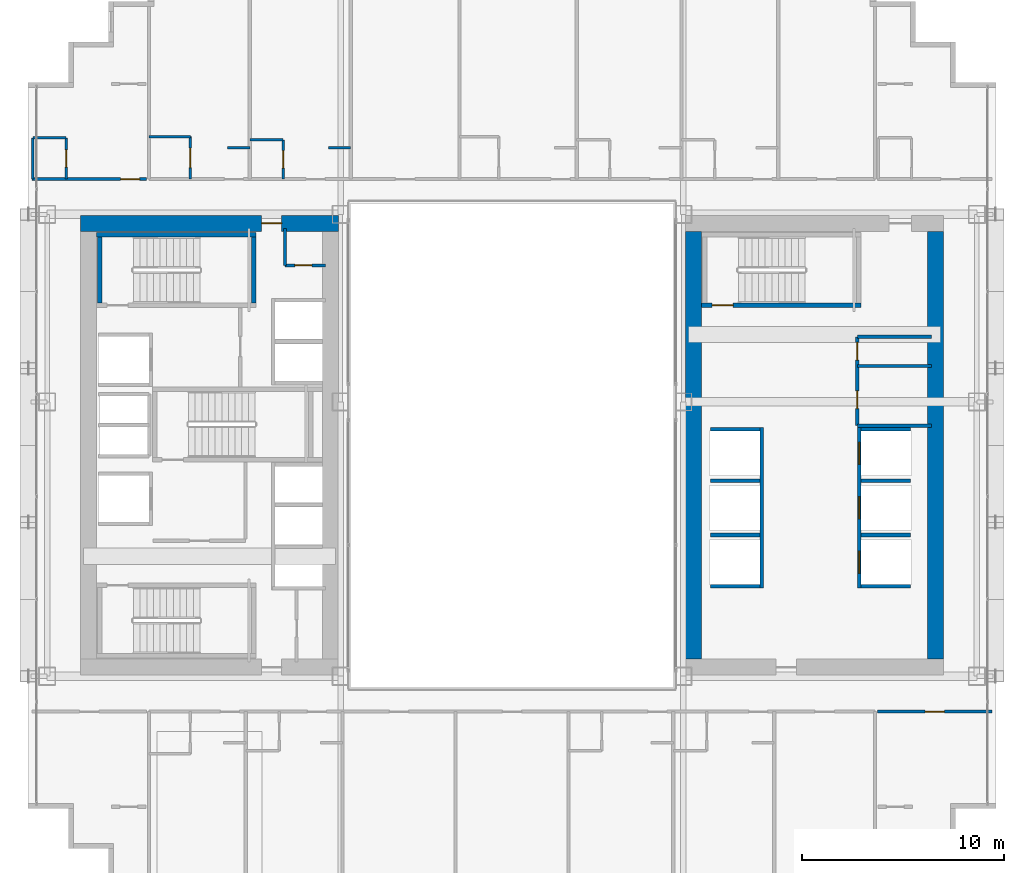
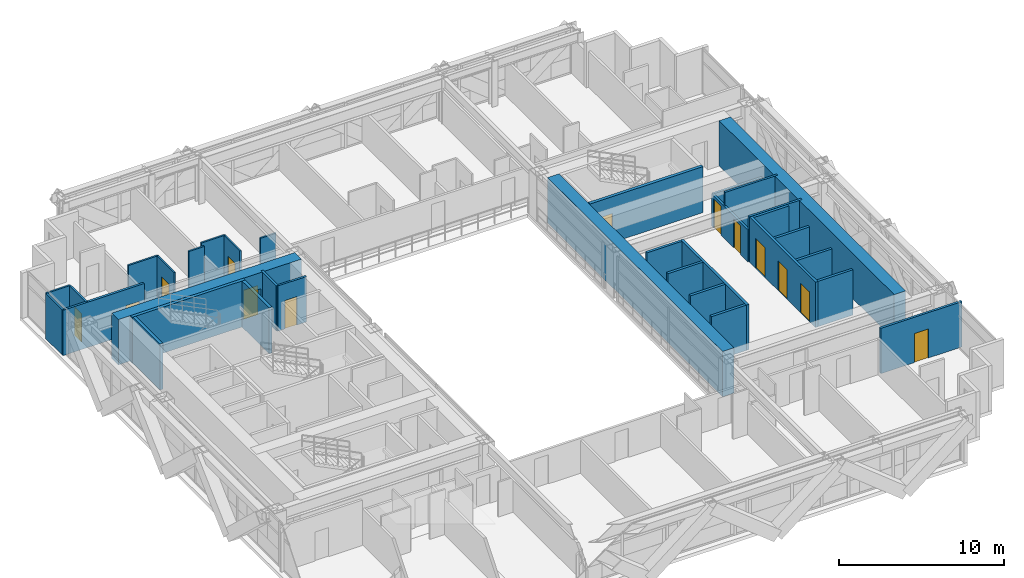
# One storey, part 35 of 41: 34 walls, 13 doors, 13 openings.
"""IFC4 building model written with IfcOpenShell, lengths in metres."""

from ifc_helpers import new_model, si_unit, direction, frame, frame_2d, origin, place, context, subcontext, project, spatial, rectangle, extrude, source, transform, mapped, material, layer, layer_set, type_object, element, fill, save


model = new_model("IFC4")

# Units and contexts
model_context = context("Model", 3, precision=1e-05, world=origin(), true_north=direction((0.0, 1.0)))
body_context = subcontext(model_context, "Body", "Model", "MODEL_VIEW")
ifc_project = project(units=[si_unit("LENGTHUNIT", "METRE"), si_unit("AREAUNIT", "SQUARE_METRE"), si_unit("VOLUMEUNIT", "CUBIC_METRE"), si_unit("PLANEANGLEUNIT", "RADIAN"), si_unit("MASSUNIT", "GRAM", prefix="KILO")], contexts=[model_context])

# Site, building, storey
site_placement = place(None, origin())
site = spatial("IfcSite", under=ifc_project, at=site_placement, CompositionType="ELEMENT")
building_placement = place(site_placement, origin())
building = spatial("IfcBuilding", under=site, at=building_placement, Name="Ocotamira Hotel", CompositionType="ELEMENT")
storey_placement = place(building_placement, frame((0.0, 0.0, 67.199951171875)))
storey = spatial("IfcBuildingStorey", under=building, at=storey_placement, Name="L16", CompositionType="ELEMENT", Elevation=67.199951171875)

# Wall, opening, door
ifc_material_1 = material(Name="Concrete C60/75", Category="concrete")
ifc_layer_1 = layer(ifc_material_1, 0.800048828125)
ifc_layer_set_1 = layer_set([ifc_layer_1], Name="Concrete C60/75")
wall_type_1 = type_object("IfcWallType", Name="WL-CORE-800", PredefinedType="SHEAR", material=ifc_layer_set_1)
wall_1_placement = place(storey_placement, frame((10.60009765625, 37.0, 0.0), z_axis=(0.0, 0.0, 1.0), x_axis=(1.0, 0.0, 0.0)))
wall_1 = element("IfcWall", 1, at=wall_1_placement, inside=storey, type_object=wall_type_1, Name="L16 Shear Core Wall WCORE-N", PredefinedType="SHEAR", context=body_context, shape_type="SweptSolid", body=[
    extrude(rectangle(XDim=12.7998046875, YDim=0.800048828125, at=frame_2d((6.39990234375, 0.0))), origin(), (0.0, 0.0, 1.0), 3.35009765625),
])
opening_1_placement = place(wall_1_placement, frame((8.97998046875, 0.0, 0.0)))
opening_1 = element("IfcOpeningElement", 2, at=opening_1_placement, cuts=wall_1, Name="Opening D-FR2", PredefinedType="OPENING", context=body_context, shape_type="SweptSolid", body=[
    extrude(rectangle(XDim=1.0, YDim=2.14990234375, at=frame_2d((0.5, 1.074951171875))), frame((0.0, 0.41015625, 0.0), z_axis=(0.0, -1.0, 0.0), x_axis=(1.0, 0.0, 0.0)), (0.0, 0.0, 1.0), 0.820068359375),
])
ifc_material_2 = material(Name="Fire-rated acoustic timber-veneer door", Category="wood")
door_type_1 = type_object("IfcDoorType", Name="DR-FIRE-1000", OperationType="NOTDEFINED", PredefinedType="DOOR", material=ifc_material_2)
shared_shape_1 = source(origin(), body_context, "Body", "SweptSolid", [
    extrude(rectangle(XDim=1.0, YDim=2.14990234375, at=frame_2d((0.5, 1.074951171875))), frame((0.0, 0.02490234375, 0.0), z_axis=(0.0, -1.0, 0.0), x_axis=(1.0, 0.0, 0.0)), (0.0, 0.0, 1.0), 0.050048828125),
])
door_1_placement = place(opening_1_placement, origin())
door_1 = element("IfcDoor", 3, at=door_1_placement, inside=storey, type_object=door_type_1, Name="L16 Door ID-L16-WLOB-N-D [ID-L16-WLOB-N-D]", OperationType="SINGLE_SWING_RIGHT", OverallHeight=2.14990234375, OverallWidth=1.0, PredefinedType="DOOR", context=body_context, shape_type="MappedRepresentation", body=[
    mapped(shared_shape_1, transform((0.0, 0.0, 0.0), scale=1.0)),
])
fill(opening_1, door_1)

# Walls
for number, where, z_axis, x_axis, name in (
    (4, (41.0, 15.39990234375, 0.0), (0.0, 0.0, 1.0), (0.0, 1.0, 0.0), "L16 Shear Core Wall ECORE-W"),
    (5, (53.0, 15.39990234375, 0.0), (0.0, 0.0, 1.0), (0.0, 1.0, 0.0), "L16 Shear Core Wall ECORE-E"),
):
    element("IfcWall", number, at=place(storey_placement, frame(where, z_axis=z_axis, x_axis=x_axis)), inside=storey, type_object=wall_type_1, Name=name, PredefinedType="SHEAR", context=body_context, shape_type="SweptSolid", body=[
        extrude(rectangle(XDim=21.2001953125, YDim=0.800048828125, at=frame_2d((10.60009765625, 0.0))), origin(), (0.0, 0.0, 1.0), 3.35009765625),
    ])
ifc_material_3 = material(Name="Acoustic double-layer fire gypsum board partition", Category="gypsum")
ifc_layer_2 = layer(ifc_material_3, 0.159912109375)
ifc_layer_set_2 = layer_set([ifc_layer_2], Name="Acoustic double-layer fire gypsum board partition")
wall_type_2 = type_object("IfcWallType", Name="WL-FIRE-160", PredefinedType="PARTITIONING", material=ifc_layer_set_2)
wall_2_placement = place(storey_placement, frame((49.1201171875, 26.969970703125, 0.0), z_axis=(0.0, 0.0, 1.0), x_axis=(1.0, 0.0, 0.0)))
element("IfcWall", 6, at=wall_2_placement, inside=storey, type_object=wall_type_2, Name="L16 Interior Wall PW-L16-EC-NE-S", PredefinedType="PARTITIONING", context=body_context, shape_type="SweptSolid", body=[
    extrude(rectangle(XDim=3.679931640625, YDim=0.159912109375, at=frame_2d((1.83984375, 0.0))), origin(), (0.0, 0.0, 1.0), 3.35009765625),
])
wall_3_placement = place(storey_placement, frame((49.1201171875, 31.3798828125, 0.0), z_axis=(0.0, 0.0, 1.0), x_axis=(1.0, 0.0, 0.0)))
element("IfcWall", 7, at=wall_3_placement, inside=storey, type_object=wall_type_2, Name="L16 Interior Wall PW-L16-EC-NE-N", PredefinedType="PARTITIONING", context=body_context, shape_type="SweptSolid", body=[
    extrude(rectangle(XDim=3.679931640625, YDim=0.159912109375, at=frame_2d((1.83984375, 0.0))), origin(), (0.0, 0.0, 1.0), 2.360107421875),
])

# Wall, openings, doors
wall_4_placement = place(storey_placement, frame((49.1201171875, 26.969970703125, 0.0), z_axis=(0.0, 0.0, 1.0), x_axis=(0.0, 1.0, 0.0)))
wall_4 = element("IfcWall", 8, at=wall_4_placement, inside=storey, type_object=wall_type_2, Name="L16 Interior Wall PW-L16-EC-NE-W", PredefinedType="PARTITIONING", context=body_context, shape_type="SweptSolid", body=[
    extrude(rectangle(XDim=4.409912109375, YDim=0.159912109375, at=frame_2d((2.205078125, 0.0))), origin(), (0.0, 0.0, 1.0), 2.360107421875),
])
opening_2_placement = place(wall_4_placement, frame((0.85009765625, 0.0, 0.0)))
opening_2 = element("IfcOpeningElement", 9, at=opening_2_placement, cuts=wall_4, Name="Opening D-SV2", PredefinedType="OPENING", context=body_context, shape_type="SweptSolid", body=[
    extrude(rectangle(XDim=0.8798828125, YDim=2.14990234375, at=frame_2d((0.43994140625, 1.074951171875))), frame((0.0, 0.08984375, 0.0), z_axis=(0.0, -1.0, 0.0), x_axis=(1.0, 0.0, 0.0)), (0.0, 0.0, 1.0), 0.179931640625),
])
opening_3_placement = place(wall_4_placement, frame((3.25, 0.0, 0.0)))
opening_3 = element("IfcOpeningElement", 10, at=opening_3_placement, cuts=wall_4, Name="Opening D-SV2", PredefinedType="OPENING", context=body_context, shape_type="SweptSolid", body=[
    extrude(rectangle(XDim=0.8798828125, YDim=2.14990234375, at=frame_2d((0.43994140625, 1.074951171875))), frame((0.0, 0.08984375, 0.0), z_axis=(0.0, -1.0, 0.0), x_axis=(1.0, 0.0, 0.0)), (0.0, 0.0, 1.0), 0.179931640625),
])
ifc_material_4 = material(Name="Fire-rated painted steel service door", Category="steel")
door_type_2 = type_object("IfcDoorType", Name="DR-SERV-880", OperationType="NOTDEFINED", PredefinedType="DOOR", material=ifc_material_4)
shared_shape_2 = source(origin(), body_context, "Body", "SweptSolid", [
    extrude(rectangle(XDim=0.8798828125, YDim=2.14990234375, at=frame_2d((0.43994140625, 1.074951171875))), frame((0.0, 0.02490234375, 0.0), z_axis=(0.0, -1.0, 0.0), x_axis=(1.0, 0.0, 0.0)), (0.0, 0.0, 1.0), 0.050048828125),
])
door_2_placement = place(opening_2_placement, origin())
door_2 = element("IfcDoor", 11, at=door_2_placement, inside=storey, type_object=door_type_2, Name="L16 Door ID-L16-EC-NE-D1 [ID-L16-EC-NE-D1]", OperationType="SINGLE_SWING_LEFT", OverallHeight=2.14990234375, OverallWidth=0.8798828125, PredefinedType="DOOR", context=body_context, shape_type="MappedRepresentation", body=[
    mapped(shared_shape_2, transform((0.0, 0.0, 0.0), scale=1.0)),
])
fill(opening_2, door_2)
door_3_placement = place(opening_3_placement, origin())
door_3 = element("IfcDoor", 12, at=door_3_placement, inside=storey, type_object=door_type_2, Name="L16 Door ID-L16-EC-NE-D2 [ID-L16-EC-NE-D2]", OperationType="SINGLE_SWING_RIGHT", OverallHeight=2.14990234375, OverallWidth=0.8798828125, PredefinedType="DOOR", context=body_context, shape_type="MappedRepresentation", body=[
    mapped(shared_shape_2, transform((0.0, 0.0, 0.0), scale=1.0)),
])
fill(opening_3, door_3)

# Wall, opening, door
wall_5_placement = place(storey_placement, frame((50.1201171875, 12.800048828125, 0.0), z_axis=(0.0, 0.0, 1.0), x_axis=(1.0, 0.0, 0.0)))
wall_5 = element("IfcWall", 13, at=wall_5_placement, inside=storey, type_object=wall_type_2, Name="L16 Interior Wall PW-L16-Z1D-CSE-CW", PredefinedType="PARTITIONING", context=body_context, shape_type="SweptSolid", body=[
    extrude(rectangle(XDim=5.679931640625, YDim=0.159912109375, at=frame_2d((2.83984375, 0.0))), origin(), (0.0, 0.0, 1.0), 3.35009765625),
])
opening_4_placement = place(wall_5_placement, frame((2.360107421875, 0.0, 0.0)))
opening_4 = element("IfcOpeningElement", 14, at=opening_4_placement, cuts=wall_5, Name="Opening D-SV4", PredefinedType="OPENING", context=body_context, shape_type="SweptSolid", body=[
    extrude(rectangle(XDim=0.9599609375, YDim=2.14990234375, at=frame_2d((0.47998046875, 1.074951171875))), frame((0.0, 0.08984375, 0.0), z_axis=(0.0, -1.0, 0.0), x_axis=(1.0, 0.0, 0.0)), (0.0, 0.0, 1.0), 0.179931640625),
])
ifc_material_5 = material(Name="Fire-rated accessible walnut salon door", Category="wood")
door_type_3 = type_object("IfcDoorType", Name="DR-SERV-960", OperationType="NOTDEFINED", PredefinedType="DOOR", material=ifc_material_5)
shared_shape_3 = source(origin(), body_context, "Body", "SweptSolid", [
    extrude(rectangle(XDim=0.9599609375, YDim=2.14990234375, at=frame_2d((0.47998046875, 1.074951171875))), frame((0.0, 0.02490234375, 0.0), z_axis=(0.0, -1.0, 0.0), x_axis=(1.0, 0.0, 0.0)), (0.0, 0.0, 1.0), 0.050048828125),
])
door_4_placement = place(opening_4_placement, origin())
door_4 = element("IfcDoor", 15, at=door_4_placement, inside=storey, type_object=door_type_3, Name="L16 Door ID-L16-Z1D-CSE-CD [ID-L16-Z1D-CSE-CD]", OperationType="SINGLE_SWING_LEFT", OverallHeight=2.14990234375, OverallWidth=0.9599609375, PredefinedType="DOOR", context=body_context, shape_type="MappedRepresentation", body=[
    mapped(shared_shape_3, transform((0.0, 0.0, 0.0), scale=1.0)),
])
fill(opening_4, door_4)

wall_6_placement = place(storey_placement, frame((8.199951171875, 39.199951171875, 0.0), z_axis=(0.0, 0.0, 1.0), x_axis=(1.0, 0.0, 0.0)))
wall_6 = element("IfcWall", 16, at=wall_6_placement, inside=storey, type_object=wall_type_2, Name="L16 Interior Wall PW-L16-Z1D-CNW-CW", PredefinedType="PARTITIONING", context=body_context, shape_type="SweptSolid", body=[
    extrude(rectangle(XDim=5.679931640625, YDim=0.159912109375, at=frame_2d((2.83984375, 0.0))), origin(), (0.0, 0.0, 1.0), 3.35009765625),
])
opening_5_placement = place(wall_6_placement, frame((4.39990234375, 0.0, 0.0)))
opening_5 = element("IfcOpeningElement", 17, at=opening_5_placement, cuts=wall_6, Name="Opening D-GR1", PredefinedType="OPENING", context=body_context, shape_type="SweptSolid", body=[
    extrude(rectangle(XDim=0.93994140625, YDim=2.14990234375, at=frame_2d((0.469970703125, 1.074951171875))), frame((0.0, 0.08984375, 0.0), z_axis=(0.0, -1.0, 0.0), x_axis=(1.0, 0.0, 0.0)), (0.0, 0.0, 1.0), 0.179931640625),
])
ifc_material_6 = material(Name="Solid-core walnut suite entrance fire door", Category="wood")
door_type_4 = type_object("IfcDoorType", Name="DR-GUEST-940", OperationType="NOTDEFINED", PredefinedType="DOOR", material=ifc_material_6)
shared_shape_4 = source(origin(), body_context, "Body", "SweptSolid", [
    extrude(rectangle(XDim=0.93994140625, YDim=2.14990234375, at=frame_2d((0.469970703125, 1.074951171875))), frame((0.0, 0.02490234375, 0.0), z_axis=(0.0, -1.0, 0.0), x_axis=(1.0, 0.0, 0.0)), (0.0, 0.0, 1.0), 0.050048828125),
])
door_5_placement = place(opening_5_placement, origin())
door_5 = element("IfcDoor", 18, at=door_5_placement, inside=storey, type_object=door_type_4, Name="L16 Door ID-L16-Z1D-CNW-CD [ID-L16-Z1D-CNW-CD]", OperationType="SINGLE_SWING_RIGHT", OverallHeight=2.14990234375, OverallWidth=0.93994140625, PredefinedType="DOOR", context=body_context, shape_type="MappedRepresentation", body=[
    mapped(shared_shape_4, transform((0.0, 0.0, 0.0), scale=1.0)),
])
fill(opening_5, door_5)

ifc_material_7 = material(Name="Moisture-resistant en-suite tile and gypsum partition", Category="gypsum")
ifc_layer_3 = layer(ifc_material_7, 0.1201171875)
ifc_layer_set_3 = layer_set([ifc_layer_3], Name="Moisture-resistant en-suite tile and gypsum partition")
wall_type_3 = type_object("IfcWallType", Name="WL-PART-120", PredefinedType="PARTITIONING", material=ifc_layer_set_3)
wall_7_placement = place(storey_placement, frame((9.889892578125, 39.199951171875, 0.0), z_axis=(0.0, 0.0, 1.0), x_axis=(0.0, 1.0, 0.0)))
wall_7 = element("IfcWall", 19, at=wall_7_placement, inside=storey, type_object=wall_type_3, Name="L16 Interior Wall PW-L16-Z1D-CNW-BE", PredefinedType="PARTITIONING", context=body_context, shape_type="SweptSolid", body=[
    extrude(rectangle(XDim=2.0400390625, YDim=0.1201171875, at=frame_2d((1.02001953125, 0.0))), origin(), (0.0, 0.0, 1.0), 3.35009765625),
])
opening_6_placement = place(wall_7_placement, frame((0.590087890625, 0.0, 0.0)))
opening_6 = element("IfcOpeningElement", 20, at=opening_6_placement, cuts=wall_7, Name="Opening D-BA1", PredefinedType="OPENING", context=body_context, shape_type="SweptSolid", body=[
    extrude(rectangle(XDim=0.860107421875, YDim=2.10009765625, at=frame_2d((0.43017578125, 1.050048828125))), frame((0.0, 0.070068359375, 0.0), z_axis=(0.0, -1.0, 0.0), x_axis=(1.0, 0.0, 0.0)), (0.0, 0.0, 1.0), 0.14013671875),
])
ifc_material_8 = material(Name="Moisture-sealed en-suite timber door", Category="wood")
door_type_5 = type_object("IfcDoorType", Name="DR-BATH-860", OperationType="NOTDEFINED", PredefinedType="DOOR", material=ifc_material_8)
shared_shape_5 = source(origin(), body_context, "Body", "SweptSolid", [
    extrude(rectangle(XDim=0.860107421875, YDim=2.10009765625, at=frame_2d((0.43017578125, 1.050048828125))), frame((0.0, 0.02490234375, 0.0), z_axis=(0.0, -1.0, 0.0), x_axis=(1.0, 0.0, 0.0)), (0.0, 0.0, 1.0), 0.050048828125),
])
door_6_placement = place(opening_6_placement, origin())
door_6 = element("IfcDoor", 21, at=door_6_placement, inside=storey, type_object=door_type_5, Name="L16 Door ID-L16-Z1D-CNW-BD [ID-L16-Z1D-CNW-BD]", OperationType="SINGLE_SWING_LEFT", OverallHeight=2.10009765625, OverallWidth=0.860107421875, PredefinedType="DOOR", context=body_context, shape_type="MappedRepresentation", body=[
    mapped(shared_shape_5, transform((0.0, 0.0, 0.0), scale=1.0)),
])
fill(opening_6, door_6)

# Walls
wall_8_placement = place(storey_placement, frame((8.239990234375, 39.199951171875, 0.0), z_axis=(0.0, 0.0, 1.0), x_axis=(0.0, 1.0, 0.0)))
element("IfcWall", 22, at=wall_8_placement, inside=storey, type_object=wall_type_3, Name="L16 Interior Wall PW-L16-Z1D-CNW-BW", PredefinedType="PARTITIONING", context=body_context, shape_type="SweptSolid", body=[
    extrude(rectangle(XDim=2.0400390625, YDim=0.1201171875, at=frame_2d((1.02001953125, 0.0))), origin(), (0.0, 0.0, 1.0), 3.35009765625),
])
wall_9_placement = place(storey_placement, frame((8.239990234375, 41.239990234375, 0.0), z_axis=(0.0, 0.0, 1.0), x_axis=(1.0, 0.0, 0.0)))
element("IfcWall", 23, at=wall_9_placement, inside=storey, type_object=wall_type_3, Name="L16 Interior Wall PW-L16-Z1D-CNW-BH", PredefinedType="PARTITIONING", context=body_context, shape_type="SweptSolid", body=[
    extrude(rectangle(XDim=1.64990234375, YDim=0.1201171875, at=frame_2d((0.824951171875, 0.0))), origin(), (0.0, 0.0, 1.0), 3.35009765625),
])

# Wall, opening, door
wall_10_placement = place(storey_placement, frame((16.050048828125, 39.199951171875, 0.0), z_axis=(0.0, 0.0, 1.0), x_axis=(0.0, 1.0, 0.0)))
wall_10 = element("IfcWall", 24, at=wall_10_placement, inside=storey, type_object=wall_type_3, Name="L16 Interior Wall PW-L16-Z1DN-BAE1", PredefinedType="PARTITIONING", context=body_context, shape_type="SweptSolid", body=[
    extrude(rectangle(XDim=2.10009765625, YDim=0.1201171875, at=frame_2d((1.050048828125, 0.0))), origin(), (0.0, 0.0, 1.0), 3.35009765625),
])
opening_7_placement = place(wall_10_placement, frame((0.570068359375, 0.0, 0.0)))
opening_7 = element("IfcOpeningElement", 25, at=opening_7_placement, cuts=wall_10, Name="Opening D-IN1", PredefinedType="OPENING", context=body_context, shape_type="SweptSolid", body=[
    extrude(rectangle(XDim=0.9599609375, YDim=2.14990234375, at=frame_2d((0.47998046875, 1.074951171875))), frame((0.0, 0.070068359375, 0.0), z_axis=(0.0, -1.0, 0.0), x_axis=(1.0, 0.0, 0.0)), (0.0, 0.0, 1.0), 0.14013671875),
])
ifc_material_9 = material(Name="Accessible walnut interior room door", Category="wood")
door_type_6 = type_object("IfcDoorType", Name="DR-INT-960", OperationType="NOTDEFINED", PredefinedType="DOOR", material=ifc_material_9)
door_7_placement = place(opening_7_placement, origin())
door_7 = element("IfcDoor", 26, at=door_7_placement, inside=storey, type_object=door_type_6, Name="L16 Door ID-L16-Z1DN-BAD1 [ID-L16-Z1DN-BAD1]", OperationType="SINGLE_SWING_RIGHT", OverallHeight=2.14990234375, OverallWidth=0.9599609375, PredefinedType="DOOR", context=body_context, shape_type="MappedRepresentation", body=[
    mapped(shared_shape_3, transform((0.0, 0.0, 0.0), scale=1.0)),
])
fill(opening_7, door_7)

# Walls
wall_11_placement = place(storey_placement, frame((14.0, 41.300048828125, 0.0), z_axis=(0.0, 0.0, 1.0), x_axis=(1.0, 0.0, 0.0)))
element("IfcWall", 27, at=wall_11_placement, inside=storey, type_object=wall_type_3, Name="L16 Interior Wall PW-L16-Z1DN-BAN1", PredefinedType="PARTITIONING", context=body_context, shape_type="SweptSolid", body=[
    extrude(rectangle(XDim=2.050048828125, YDim=0.1201171875, at=frame_2d((1.02490234375, 0.0))), origin(), (0.0, 0.0, 1.0), 3.35009765625),
])
wall_12_placement = place(storey_placement, frame((17.89990234375, 40.75, 0.0), z_axis=(0.0, 0.0, 1.0), x_axis=(1.0, 0.0, 0.0)))
element("IfcWall", 28, at=wall_12_placement, inside=storey, type_object=wall_type_3, Name="L16 Interior Wall PW-L16-Z1DN-DRN1", PredefinedType="PARTITIONING", context=body_context, shape_type="SweptSolid", body=[
    extrude(rectangle(XDim=1.10009765625, YDim=0.1201171875, at=frame_2d((0.550048828125, 0.0))), origin(), (0.0, 0.0, 1.0), 3.35009765625),
])

# Wall, opening, door
wall_13_placement = place(storey_placement, frame((20.64990234375, 39.199951171875, 0.0), z_axis=(0.0, 0.0, 1.0), x_axis=(0.0, 1.0, 0.0)))
wall_13 = element("IfcWall", 29, at=wall_13_placement, inside=storey, type_object=wall_type_3, Name="L16 Interior Wall PW-L16-Z1DN-BAE2", PredefinedType="PARTITIONING", context=body_context, shape_type="SweptSolid", body=[
    extrude(rectangle(XDim=1.949951171875, YDim=0.1201171875, at=frame_2d((0.97509765625, 0.0))), origin(), (0.0, 0.0, 1.0), 3.35009765625),
])
opening_8_placement = place(wall_13_placement, frame((0.544921875, 0.0, 0.0)))
opening_8 = element("IfcOpeningElement", 30, at=opening_8_placement, cuts=wall_13, Name="Opening D-BA1", PredefinedType="OPENING", context=body_context, shape_type="SweptSolid", body=[
    extrude(rectangle(XDim=0.860107421875, YDim=2.10009765625, at=frame_2d((0.43017578125, 1.050048828125))), frame((0.0, 0.070068359375, 0.0), z_axis=(0.0, -1.0, 0.0), x_axis=(1.0, 0.0, 0.0)), (0.0, 0.0, 1.0), 0.14013671875),
])
door_8_placement = place(opening_8_placement, origin())
door_8 = element("IfcDoor", 31, at=door_8_placement, inside=storey, type_object=door_type_5, Name="L16 Door ID-L16-Z1DN-BAD2 [ID-L16-Z1DN-BAD2]", OperationType="SINGLE_SWING_LEFT", OverallHeight=2.10009765625, OverallWidth=0.860107421875, PredefinedType="DOOR", context=body_context, shape_type="MappedRepresentation", body=[
    mapped(shared_shape_5, transform((0.0, 0.0, 0.0), scale=1.0)),
])
fill(opening_8, door_8)

# Walls
wall_14_placement = place(storey_placement, frame((19.0, 41.14990234375, 0.0), z_axis=(0.0, 0.0, 1.0), x_axis=(1.0, 0.0, 0.0)))
element("IfcWall", 32, at=wall_14_placement, inside=storey, type_object=wall_type_3, Name="L16 Interior Wall PW-L16-Z1DN-BAN2", PredefinedType="PARTITIONING", context=body_context, shape_type="SweptSolid", body=[
    extrude(rectangle(XDim=1.64990234375, YDim=0.1201171875, at=frame_2d((0.824951171875, 0.0))), origin(), (0.0, 0.0, 1.0), 3.35009765625),
])
wall_15_placement = place(storey_placement, frame((22.89990234375, 40.75, 0.0), z_axis=(0.0, 0.0, 1.0), x_axis=(1.0, 0.0, 0.0)))
element("IfcWall", 33, at=wall_15_placement, inside=storey, type_object=wall_type_3, Name="L16 Interior Wall PW-L16-Z1DN-DRN2", PredefinedType="PARTITIONING", context=body_context, shape_type="SweptSolid", body=[
    extrude(rectangle(XDim=1.10009765625, YDim=0.1201171875, at=frame_2d((0.550048828125, 0.0))), origin(), (0.0, 0.0, 1.0), 2.571044921875),
])
ifc_material_10 = material(Name="Acoustic hospitality gypsum board partition", Category="gypsum")
ifc_layer_4 = layer(ifc_material_10, 0.14208984375)
ifc_layer_set_4 = layer_set([ifc_layer_4], Name="Acoustic hospitality gypsum board partition")
wall_type_4 = type_object("IfcWallType", Name="WL-PART-142", PredefinedType="PARTITIONING", material=ifc_layer_set_4)
wall_16_placement = place(storey_placement, frame((20.739990234375, 34.919921875, 0.0), z_axis=(0.0, 0.0, 1.0), x_axis=(0.0, 1.0, 0.0)))
element("IfcWall", 34, at=wall_16_placement, inside=storey, type_object=wall_type_4, Name="L16 Interior Wall PW-L16-WC-NE-W1", PredefinedType="PARTITIONING", context=body_context, shape_type="SweptSolid", body=[
    extrude(rectangle(XDim=1.830078125, YDim=0.14208984375, at=frame_2d((0.9150390625, 0.0))), origin(), (0.0, 0.0, 1.0), 3.35009765625),
])

# Wall, opening, door
wall_17_placement = place(storey_placement, frame((20.739990234375, 34.919921875, 0.0), z_axis=(0.0, 0.0, 1.0), x_axis=(1.0, 0.0, 0.0)))
wall_17 = element("IfcWall", 35, at=wall_17_placement, inside=storey, type_object=wall_type_4, Name="L16 Interior Wall PW-L16-WC-NE-S1", PredefinedType="PARTITIONING", context=body_context, shape_type="SweptSolid", body=[
    extrude(rectangle(XDim=2.010009765625, YDim=0.14208984375, at=frame_2d((1.0048828125, 0.0))), origin(), (0.0, 0.0, 1.0), 3.35009765625),
])
opening_9_placement = place(wall_17_placement, frame((0.5, 0.0, 0.0)))
opening_9 = element("IfcOpeningElement", 36, at=opening_9_placement, cuts=wall_17, Name="Opening D-SV1", PredefinedType="OPENING", context=body_context, shape_type="SweptSolid", body=[
    extrude(rectangle(XDim=0.840087890625, YDim=2.10009765625, at=frame_2d((0.419921875, 1.050048828125))), frame((0.0, 0.0810546875, 0.0), z_axis=(0.0, -1.0, 0.0), x_axis=(1.0, 0.0, 0.0)), (0.0, 0.0, 1.0), 0.162109375),
])
door_type_7 = type_object("IfcDoorType", Name="DR-SERV-840", OperationType="NOTDEFINED", PredefinedType="DOOR", material=ifc_material_4)
shared_shape_6 = source(origin(), body_context, "Body", "SweptSolid", [
    extrude(rectangle(XDim=0.840087890625, YDim=2.10009765625, at=frame_2d((0.419921875, 1.050048828125))), frame((0.0, 0.02490234375, 0.0), z_axis=(0.0, -1.0, 0.0), x_axis=(1.0, 0.0, 0.0)), (0.0, 0.0, 1.0), 0.050048828125),
])
door_9_placement = place(opening_9_placement, origin())
door_9 = element("IfcDoor", 37, at=door_9_placement, inside=storey, type_object=door_type_7, Name="L16 Door ID-L16-WC-NE-D1 [ID-L16-WC-NE-D1]", OperationType="SINGLE_SWING_LEFT", OverallHeight=2.10009765625, OverallWidth=0.840087890625, PredefinedType="DOOR", context=body_context, shape_type="MappedRepresentation", body=[
    mapped(shared_shape_6, transform((0.0, 0.0, 0.0), scale=1.0)),
])
fill(opening_9, door_9)

# Wall
ifc_layer_5 = layer(ifc_material_10, 0.14990234375)
ifc_layer_set_5 = layer_set([ifc_layer_5], Name="Acoustic hospitality gypsum board partition")
wall_type_5 = type_object("IfcWallType", Name="WL-PART-150", PredefinedType="PARTITIONING", material=ifc_layer_set_5)
wall_18_placement = place(storey_placement, frame((49.1201171875, 29.929931640625, 0.0), z_axis=(0.0, 0.0, 1.0), x_axis=(1.0, 0.0, 0.0)))
element("IfcWall", 38, at=wall_18_placement, inside=storey, type_object=wall_type_5, Name="L16 Interior Wall PW-L16-EC-NE-Y", PredefinedType="PARTITIONING", context=body_context, shape_type="SweptSolid", body=[
    extrude(rectangle(XDim=3.679931640625, YDim=0.14990234375, at=frame_2d((1.83984375, 0.0))), origin(), (0.0, 0.0, 1.0), 3.35009765625),
])

# Wall, openings, doors
ifc_material_11 = material(Name="Fire-rated gypsum shaftliner board assembly", Category="gypsum")
ifc_layer_6 = layer(ifc_material_11, 0.179931640625)
ifc_layer_set_6 = layer_set([ifc_layer_6], Name="Fire-rated gypsum shaftliner board assembly")
wall_type_6 = type_object("IfcWallType", Name="WL-SHAFT-180", PredefinedType="SOLIDWALL", material=ifc_layer_set_6)
wall_19_placement = place(storey_placement, frame((49.2099609375, 18.919921875, 0.0), z_axis=(0.0, 0.0, 1.0), x_axis=(0.0, 1.0, 0.0)))
wall_19 = element("IfcWall", 39, at=wall_19_placement, inside=storey, type_object=wall_type_6, Name="L16 Interior Wall PW-L16-LFW-BANK-low-F", PredefinedType="SOLIDWALL", context=body_context, shape_type="SweptSolid", body=[
    extrude(rectangle(XDim=7.9599609375, YDim=0.179931640625, at=frame_2d((3.97998046875, 0.0))), origin(), (0.0, 0.0, 1.0), 3.35009765625),
])
opening_10_placement = place(wall_19_placement, frame((0.72998046875, 0.0, 0.0)))
opening_10 = element("IfcOpeningElement", 40, at=opening_10_placement, cuts=wall_19, Name="Opening LD-LF-P1", PredefinedType="OPENING", context=body_context, shape_type="SweptSolid", body=[
    extrude(rectangle(XDim=1.10009765625, YDim=2.199951171875, at=frame_2d((0.550048828125, 1.10009765625))), frame((0.0, 0.10009765625, 0.0), z_axis=(0.0, -1.0, 0.0), x_axis=(1.0, 0.0, 0.0)), (0.0, 0.0, 1.0), 0.199951171875),
])
opening_11_placement = place(wall_19_placement, frame((3.429931640625, 0.0, 0.0)))
opening_11 = element("IfcOpeningElement", 41, at=opening_11_placement, cuts=wall_19, Name="Opening LD-LF-P2", PredefinedType="OPENING", context=body_context, shape_type="SweptSolid", body=[
    extrude(rectangle(XDim=1.10009765625, YDim=2.199951171875, at=frame_2d((0.550048828125, 1.10009765625))), frame((0.0, 0.10009765625, 0.0), z_axis=(0.0, -1.0, 0.0), x_axis=(1.0, 0.0, 0.0)), (0.0, 0.0, 1.0), 0.199951171875),
])
opening_12_placement = place(wall_19_placement, frame((6.1298828125, 0.0, 0.0)))
opening_12 = element("IfcOpeningElement", 42, at=opening_12_placement, cuts=wall_19, Name="Opening LD-LF-P3", PredefinedType="OPENING", context=body_context, shape_type="SweptSolid", body=[
    extrude(rectangle(XDim=1.10009765625, YDim=2.199951171875, at=frame_2d((0.550048828125, 1.10009765625))), frame((0.0, 0.10009765625, 0.0), z_axis=(0.0, -1.0, 0.0), x_axis=(1.0, 0.0, 0.0)), (0.0, 0.0, 1.0), 0.199951171875),
])
ifc_material_12 = material(Name="Brushed pale-metal stainless elevator landing door", Category="steel")
door_type_8 = type_object("IfcDoorType", Name="DR-LIFT-1100", OperationType="NOTDEFINED", PredefinedType="DOOR", material=ifc_material_12)
shared_shape_7 = source(origin(), body_context, "Body", "SweptSolid", [
    extrude(rectangle(XDim=1.10009765625, YDim=2.199951171875, at=frame_2d((0.550048828125, 1.10009765625))), frame((0.0, 0.02490234375, 0.0), z_axis=(0.0, -1.0, 0.0), x_axis=(1.0, 0.0, 0.0)), (0.0, 0.0, 1.0), 0.050048828125),
])
door_10_placement = place(opening_10_placement, origin())
door_10 = element("IfcDoor", 43, at=door_10_placement, inside=storey, type_object=door_type_8, Name="L16 Landing Door LD-LF-P1 [ID-L16-LD-LF-P1]", OperationType="DOUBLE_DOOR_SLIDING", OverallHeight=2.199951171875, OverallWidth=1.10009765625, PredefinedType="DOOR", context=body_context, shape_type="MappedRepresentation", body=[
    mapped(shared_shape_7, transform((0.0, 0.0, 0.0), scale=1.0)),
])
fill(opening_10, door_10)
door_11_placement = place(opening_11_placement, origin())
door_11 = element("IfcDoor", 44, at=door_11_placement, inside=storey, type_object=door_type_8, Name="L16 Landing Door LD-LF-P2 [ID-L16-LD-LF-P2]", OperationType="DOUBLE_DOOR_SLIDING", OverallHeight=2.199951171875, OverallWidth=1.10009765625, PredefinedType="DOOR", context=body_context, shape_type="MappedRepresentation", body=[
    mapped(shared_shape_7, transform((0.0, 0.0, 0.0), scale=1.0)),
])
fill(opening_11, door_11)
door_12_placement = place(opening_12_placement, origin())
door_12 = element("IfcDoor", 45, at=door_12_placement, inside=storey, type_object=door_type_8, Name="L16 Landing Door LD-LF-P3 [ID-L16-LD-LF-P3]", OperationType="DOUBLE_DOOR_SLIDING", OverallHeight=2.199951171875, OverallWidth=1.10009765625, PredefinedType="DOOR", context=body_context, shape_type="MappedRepresentation", body=[
    mapped(shared_shape_7, transform((0.0, 0.0, 0.0), scale=1.0)),
])
fill(opening_12, door_12)

# Walls
for number, where, z_axis, x_axis, name in (
    (46, (49.300048828125, 19.010009765625, 0.0), (0.0, 0.0, 1.0), (1.0, 0.0, 0.0), "L16 Interior Wall PW-L16-LFW-BANK-low-S"),
    (47, (49.300048828125, 26.7900390625, 0.0), (0.0, 0.0, 1.0), (1.0, 0.0, 0.0), "L16 Interior Wall PW-L16-LFW-BANK-low-N"),
    (48, (49.300048828125, 21.550048828125, 0.0), (0.0, 0.0, 1.0), (1.0, 0.0, 0.0), "L16 Interior Wall PW-L16-LFW-DIV-LF-P1"),
    (49, (49.300048828125, 24.25, 0.0), (0.0, 0.0, 1.0), (1.0, 0.0, 0.0), "L16 Interior Wall PW-L16-LFW-DIV-LF-P2"),
):
    element("IfcWall", number, at=place(storey_placement, frame(where, z_axis=z_axis, x_axis=x_axis)), inside=storey, type_object=wall_type_6, Name=name, PredefinedType="SOLIDWALL", context=body_context, shape_type="SweptSolid", body=[
        extrude(rectangle(XDim=2.449951171875, YDim=0.179931640625, at=frame_2d((1.22509765625, 0.0))), origin(), (0.0, 0.0, 1.0), 3.35009765625),
    ])
wall_20_placement = place(storey_placement, frame((44.389892578125, 18.919921875, 0.0), z_axis=(0.0, 0.0, 1.0), x_axis=(0.0, 1.0, 0.0)))
element("IfcWall", 50, at=wall_20_placement, inside=storey, type_object=wall_type_6, Name="L16 Interior Wall PW-L16-LFW-BANK-mid-F", PredefinedType="SOLIDWALL", context=body_context, shape_type="SweptSolid", body=[
    extrude(rectangle(XDim=7.9599609375, YDim=0.179931640625, at=frame_2d((3.97998046875, 0.0))), origin(), (0.0, 0.0, 1.0), 3.35009765625),
])
for number, where, z_axis, x_axis, name in (
    (51, (41.85009765625, 19.010009765625, 0.0), (0.0, 0.0, 1.0), (1.0, 0.0, 0.0), "L16 Interior Wall PW-L16-LFW-BANK-mid-S"),
    (52, (41.85009765625, 26.7900390625, 0.0), (0.0, 0.0, 1.0), (1.0, 0.0, 0.0), "L16 Interior Wall PW-L16-LFW-BANK-mid-N"),
    (53, (41.85009765625, 21.550048828125, 0.0), (0.0, 0.0, 1.0), (1.0, 0.0, 0.0), "L16 Interior Wall PW-L16-LFW-DIV-LF-P4"),
    (54, (41.85009765625, 24.25, 0.0), (0.0, 0.0, 1.0), (1.0, 0.0, 0.0), "L16 Interior Wall PW-L16-LFW-DIV-LF-P5"),
):
    element("IfcWall", number, at=place(storey_placement, frame(where, z_axis=z_axis, x_axis=x_axis)), inside=storey, type_object=wall_type_6, Name=name, PredefinedType="SOLIDWALL", context=body_context, shape_type="SweptSolid", body=[
        extrude(rectangle(XDim=2.449951171875, YDim=0.179931640625, at=frame_2d((1.22509765625, 0.0))), origin(), (0.0, 0.0, 1.0), 3.35009765625),
    ])
ifc_material_13 = material(Name="Concrete C50/60", Category="concrete")
ifc_layer_7 = layer(ifc_material_13, 0.219970703125)
ifc_layer_set_7 = layer_set([ifc_layer_7], Name="Concrete C50/60")
wall_type_7 = type_object("IfcWallType", Name="WL-STAIR-220", PredefinedType="SHEAR", material=ifc_layer_set_7)
wall_21_placement = place(storey_placement, frame((11.39990234375, 36.43994140625, 0.0), z_axis=(0.0, 0.0, 1.0), x_axis=(1.0, 0.0, 0.0)))
element("IfcWall", 55, at=wall_21_placement, inside=storey, type_object=wall_type_7, Name="L16 Stair Shaft Structural Wall ST-2-N", PredefinedType="SHEAR", context=body_context, shape_type="SweptSolid", body=[
    extrude(rectangle(XDim=7.91015625, YDim=0.219970703125, at=frame_2d((3.955078125, 0.0))), origin(), (0.0, 0.0, 1.0), 3.400146484375),
])
for number, where, z_axis, x_axis, name in (
    (56, (11.56005859375, 33.050048828125, 0.0), (0.0, 0.0, 1.0), (0.0, 1.0, 0.0), "L16 Stair Shaft Structural Wall ST-2-W"),
    (57, (19.199951171875, 33.050048828125, 0.0), (0.0, 0.0, 1.0), (0.0, 1.0, 0.0), "L16 Stair Shaft Structural Wall ST-2-E"),
):
    element("IfcWall", number, at=place(storey_placement, frame(where, z_axis=z_axis, x_axis=x_axis)), inside=storey, type_object=wall_type_7, Name=name, PredefinedType="SHEAR", context=body_context, shape_type="SweptSolid", body=[
        extrude(rectangle(XDim=3.280029296875, YDim=0.219970703125, at=frame_2d((1.64013671875, 0.0))), origin(), (0.0, 0.0, 1.0), 3.400146484375),
    ])

# Wall, opening, door
wall_22_placement = place(storey_placement, frame((41.39990234375, 32.93994140625, 0.0), z_axis=(0.0, 0.0, 1.0), x_axis=(1.0, 0.0, 0.0)))
wall_22 = element("IfcWall", 58, at=wall_22_placement, inside=storey, type_object=wall_type_7, Name="L16 Stair Shaft Structural Wall ST-4-S", PredefinedType="SHEAR", context=body_context, shape_type="SweptSolid", body=[
    extrude(rectangle(XDim=7.91015625, YDim=0.219970703125, at=frame_2d((3.955078125, 0.0))), origin(), (0.0, 0.0, 1.0), 3.400146484375),
])
opening_13_placement = place(wall_22_placement, frame((0.52001953125, 0.0, 0.0)))
opening_13 = element("IfcOpeningElement", 59, at=opening_13_placement, cuts=wall_22, Name="Opening D-ST2", PredefinedType="OPENING", context=body_context, shape_type="SweptSolid", body=[
    extrude(rectangle(XDim=1.050048828125, YDim=2.14990234375, at=frame_2d((0.52490234375, 1.074951171875))), frame((0.0, 0.1201171875, 0.0), z_axis=(0.0, -1.0, 0.0), x_axis=(1.0, 0.0, 0.0)), (0.0, 0.0, 1.0), 0.239990234375),
])
ifc_material_14 = material(Name="Insulated painted hollow-metal fire exit door", Category="steel")
door_type_9 = type_object("IfcDoorType", Name="DR-STAIR-1050", OperationType="NOTDEFINED", PredefinedType="DOOR", material=ifc_material_14)
shared_shape_8 = source(origin(), body_context, "Body", "SweptSolid", [
    extrude(rectangle(XDim=1.050048828125, YDim=2.14990234375, at=frame_2d((0.52490234375, 1.074951171875))), frame((0.0, 0.02490234375, 0.0), z_axis=(0.0, -1.0, 0.0), x_axis=(1.0, 0.0, 0.0)), (0.0, 0.0, 1.0), 0.050048828125),
])
door_13_placement = place(opening_13_placement, origin())
door_13 = element("IfcDoor", 60, at=door_13_placement, inside=storey, type_object=door_type_9, Name="L16 Door ID-L16-STD-ST-4 [ID-L16-STD-ST-4]", OperationType="SINGLE_SWING_RIGHT", OverallHeight=2.14990234375, OverallWidth=1.050048828125, PredefinedType="DOOR", context=body_context, shape_type="MappedRepresentation", body=[
    mapped(shared_shape_8, transform((0.0, 0.0, 0.0), scale=1.0)),
])
fill(opening_13, door_13)

save(model, "model.ifc")
